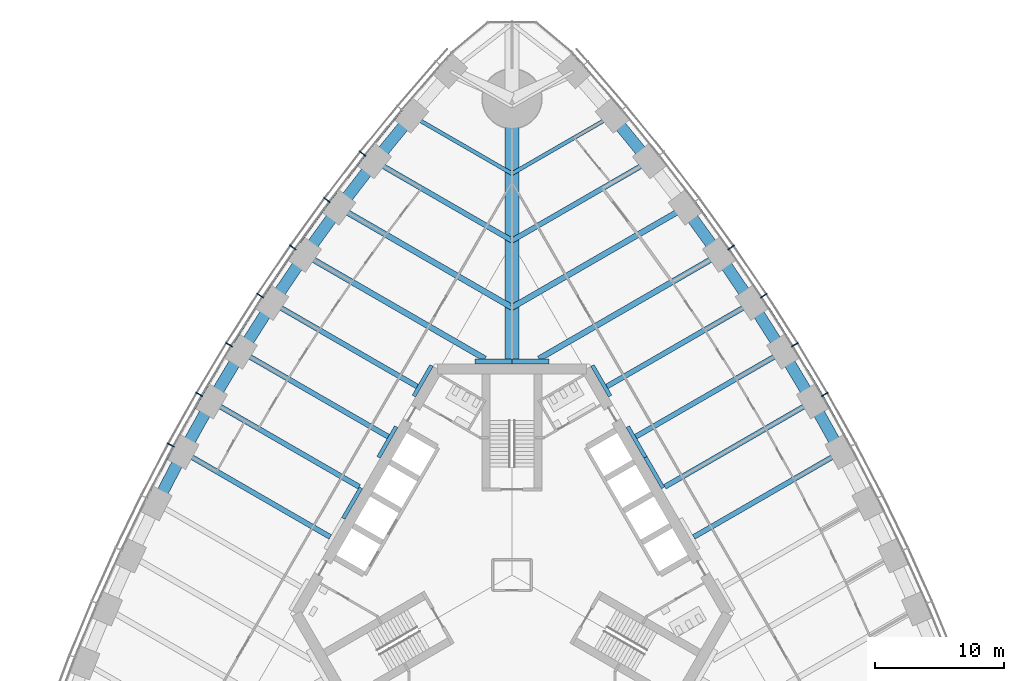
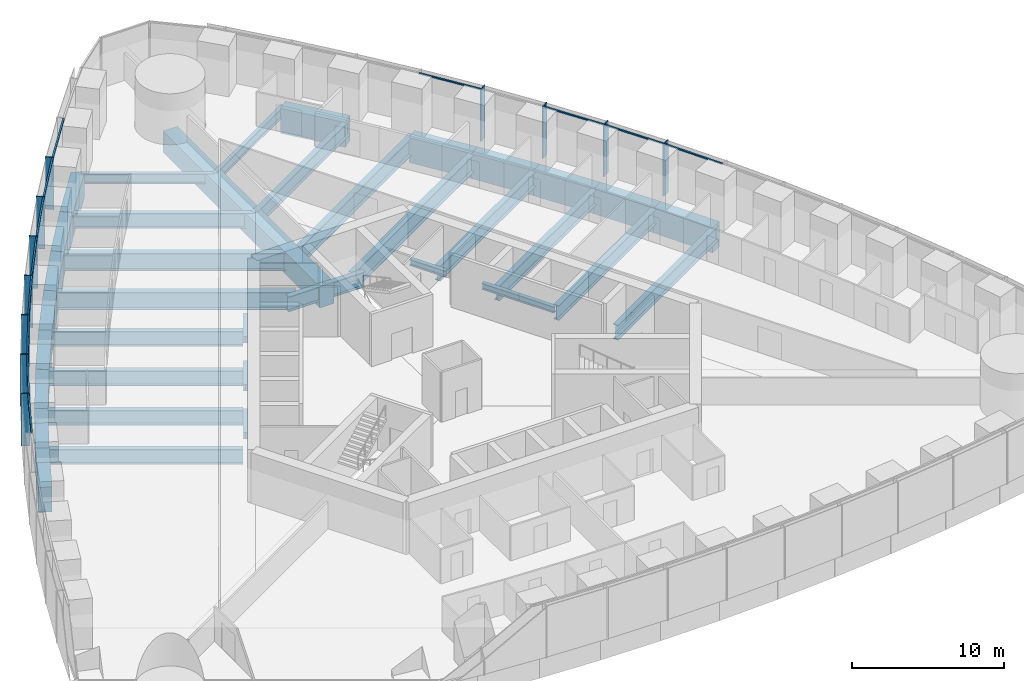
# One storey, part 4 of 18: 39 beams, 23 members, 2 elements without a shape of their own.
"""IFC4 building model written with IfcOpenShell, lengths in metres."""

from ifc_helpers import new_model, si_unit, direction, frame, origin, origin_2d, place, context, subcontext, project, spatial, rectangle, i_section, extrude, material, material_profile, profile_set, type_object, element, aggregate, save


model = new_model("IFC4")

# Units and contexts
model_context = context("Model", 3, precision=1e-05, world=origin(), true_north=direction((0.0, 1.0)))
body_context = subcontext(model_context, "Body", "Model", "MODEL_VIEW")
ifc_project = project(units=[si_unit("LENGTHUNIT", "METRE"), si_unit("AREAUNIT", "SQUARE_METRE"), si_unit("VOLUMEUNIT", "CUBIC_METRE"), si_unit("PLANEANGLEUNIT", "RADIAN"), si_unit("MASSUNIT", "GRAM", prefix="KILO")], contexts=[model_context])

# Site, building, storey
site_placement = place(None, origin())
site = spatial("IfcSite", under=ifc_project, at=site_placement, CompositionType="ELEMENT")
building_placement = place(site_placement, origin())
building = spatial("IfcBuilding", under=site, at=building_placement, Name="Trefoil Bronze Tower", CompositionType="ELEMENT")
storey_placement = place(building_placement, frame((0.0, 0.0, 75.300048828125)))
storey = spatial("IfcBuildingStorey", under=building, at=storey_placement, Name="L17", CompositionType="ELEMENT", Elevation=75.300048828125)

# Curtain wall, members
ifc_material_1 = material(Name="Tinted solar-control glass", Category="glass")
curtain_wall_type = type_object("IfcCurtainWallType", Name="Bronze office curtain wall", PredefinedType="USERDEFINED", material=ifc_material_1)
curtain_wall_1_placement = place(storey_placement, origin())
curtain_wall_1 = element("IfcCurtainWall", 1, at=curtain_wall_1_placement, inside=storey, type_object=curtain_wall_type, Name="CW-A L17 F2", ObjectType="CURTAIN WALL", PredefinedType="USERDEFINED")
ifc_material_2 = material(Name="Bronze-finish aluminium", Category="aluminium")
ifc_material_profile_1 = material_profile(ifc_material_2, rectangle(XDim=0.60009765625, YDim=0.080078125, at=origin_2d()), Name="CW-A mullion")
ifc_profile_set_1 = profile_set([ifc_material_profile_1], Name="Bronze-finish aluminium")
member_type_1 = type_object("IfcMemberType", Name="Bronze office curtain wall mullion", PredefinedType="MULLION", material=ifc_profile_set_1)
member_1_placement = place(storey_placement, frame((24.291015625, 14.0244140625, 0.0), z_axis=(0.0, 0.0, 1.0), x_axis=(-0.866025403784, -0.5, 0.0)))
member_1 = element("IfcMember", 2, at=member_1_placement, type_object=member_type_1, Name="CW-A L17 F2 mullion 9", PredefinedType="MULLION", context=body_context, shape_type="SweptSolid", body=[
    extrude(rectangle(XDim=0.60009765625, YDim=0.080078125, at=origin_2d()), origin(), (0.0, 0.0, 1.0), 4.179931640625),
])
member_2_placement = place(storey_placement, frame((21.97998046875, 17.896240234375, 0.0), z_axis=(0.0, 0.0, 1.0), x_axis=(-0.851149783004, -0.524922896141, 0.0)))
member_2 = element("IfcMember", 3, at=member_2_placement, type_object=member_type_1, Name="CW-A L17 F2 mullion 10", PredefinedType="MULLION", context=body_context, shape_type="SweptSolid", body=[
    extrude(rectangle(XDim=0.60009765625, YDim=0.080078125, at=origin_2d()), origin(), (0.0, 0.0, 1.0), 4.179931640625),
])
member_3_placement = place(storey_placement, frame((19.555419921875, 21.70263671875, 0.0), z_axis=(0.0, 0.0, 1.0), x_axis=(-0.835543651684, -0.549424067665, 0.0)))
member_3 = element("IfcMember", 4, at=member_3_placement, type_object=member_type_1, Name="CW-A L17 F2 mullion 11", PredefinedType="MULLION", context=body_context, shape_type="SweptSolid", body=[
    extrude(rectangle(XDim=0.60009765625, YDim=0.080078125, at=origin_2d()), origin(), (0.0, 0.0, 1.0), 4.179931640625),
])
member_4_placement = place(storey_placement, frame((17.01708984375, 25.443359375, 0.0), z_axis=(0.0, 0.0, 1.0), x_axis=(-0.819204207116, -0.573501932903, 0.0)))
member_4 = element("IfcMember", 5, at=member_4_placement, type_object=member_type_1, Name="CW-A L17 F2 mullion 12", PredefinedType="MULLION", context=body_context, shape_type="SweptSolid", body=[
    extrude(rectangle(XDim=0.60009765625, YDim=0.080078125, at=origin_2d()), origin(), (0.0, 0.0, 1.0), 4.179931640625),
])

curtain_wall_2_placement = place(storey_placement, origin())
curtain_wall_2 = element("IfcCurtainWall", 6, at=curtain_wall_2_placement, inside=storey, type_object=curtain_wall_type, Name="CW-A L17 F3", ObjectType="CURTAIN WALL", PredefinedType="USERDEFINED")
member_5_placement = place(storey_placement, frame((-11.595458984375, 32.7255859375, 0.0), z_axis=(0.0, 0.0, 1.0), x_axis=(0.784304615744, -0.620375910011, 0.0)))
member_5 = element("IfcMember", 7, at=member_5_placement, type_object=member_type_1, Name="CW-A L17 F3 mullion 4", PredefinedType="MULLION", context=body_context, shape_type="SweptSolid", body=[
    extrude(rectangle(XDim=0.60009765625, YDim=0.080078125, at=origin_2d()), origin(), (0.0, 0.0, 1.0), 4.179931640625),
])
member_6_placement = place(storey_placement, frame((-14.364013671875, 29.117919921875, 0.0), z_axis=(0.0, 0.0, 1.0), x_axis=(0.802126748469, -0.59715381552, 0.0)))
member_6 = element("IfcMember", 8, at=member_6_placement, type_object=member_type_1, Name="CW-A L17 F3 mullion 5", PredefinedType="MULLION", context=body_context, shape_type="SweptSolid", body=[
    extrude(rectangle(XDim=0.60009765625, YDim=0.080078125, at=origin_2d()), origin(), (0.0, 0.0, 1.0), 4.179931640625),
])
member_7_placement = place(storey_placement, frame((-17.01708984375, 25.443359375, 0.0), z_axis=(0.0, 0.0, 1.0), x_axis=(0.819204207116, -0.573501932903, 0.0)))
member_7 = element("IfcMember", 9, at=member_7_placement, type_object=member_type_1, Name="CW-A L17 F3 mullion 6", PredefinedType="MULLION", context=body_context, shape_type="SweptSolid", body=[
    extrude(rectangle(XDim=0.60009765625, YDim=0.080078125, at=origin_2d()), origin(), (0.0, 0.0, 1.0), 4.179931640625),
])
member_8_placement = place(storey_placement, frame((-19.555419921875, 21.70263671875, 0.0), z_axis=(0.0, 0.0, 1.0), x_axis=(0.835543651684, -0.549424067665, 0.0)))
member_8 = element("IfcMember", 10, at=member_8_placement, type_object=member_type_1, Name="CW-A L17 F3 mullion 7", PredefinedType="MULLION", context=body_context, shape_type="SweptSolid", body=[
    extrude(rectangle(XDim=0.60009765625, YDim=0.080078125, at=origin_2d()), origin(), (0.0, 0.0, 1.0), 4.179931640625),
])
member_9_placement = place(storey_placement, frame((-21.97998046875, 17.896240234375, 0.0), z_axis=(0.0, 0.0, 1.0), x_axis=(0.851149783004, -0.524922896141, 0.0)))
member_9 = element("IfcMember", 11, at=member_9_placement, type_object=member_type_1, Name="CW-A L17 F3 mullion 8", PredefinedType="MULLION", context=body_context, shape_type="SweptSolid", body=[
    extrude(rectangle(XDim=0.60009765625, YDim=0.080078125, at=origin_2d()), origin(), (0.0, 0.0, 1.0), 4.179931640625),
])
member_10_placement = place(storey_placement, frame((-24.291015625, 14.0244140625, 0.0), z_axis=(0.0, 0.0, 1.0), x_axis=(0.866025403784, -0.5, 0.0)))
member_10 = element("IfcMember", 12, at=member_10_placement, type_object=member_type_1, Name="CW-A L17 F3 mullion 9", PredefinedType="MULLION", context=body_context, shape_type="SweptSolid", body=[
    extrude(rectangle(XDim=0.60009765625, YDim=0.080078125, at=origin_2d()), origin(), (0.0, 0.0, 1.0), 4.179931640625),
])
member_11_placement = place(storey_placement, frame((-26.488525390625, 10.0869140625, 0.0), z_axis=(0.0, 0.0, 1.0), x_axis=(0.880171454588, -0.474655886437, 0.0)))
member_11 = element("IfcMember", 13, at=member_11_placement, type_object=member_type_1, Name="CW-A L17 F3 mullion 10", PredefinedType="MULLION", context=body_context, shape_type="SweptSolid", body=[
    extrude(rectangle(XDim=0.60009765625, YDim=0.080078125, at=origin_2d()), origin(), (0.0, 0.0, 1.0), 4.179931640625),
])

# Member
ifc_material_3 = material(Name="Bronze-finish aluminium", Category="aluminium")
ifc_material_profile_2 = material_profile(ifc_material_3, rectangle(XDim=0.1201171875, YDim=0.10009765625, at=origin_2d()), Name="CW-A transom")
ifc_profile_set_2 = profile_set([ifc_material_profile_2], Name="Bronze-finish aluminium")
member_type_2 = type_object("IfcMemberType", Name="Bronze office curtain wall transom", PredefinedType="USERDEFINED", material=ifc_profile_set_2)
member_12_placement = place(storey_placement, frame((26.29248046875, 10.0283203125, 4.1298828125), z_axis=(-0.487400435348, 0.873178570295, 0.0), x_axis=(-0.873178570295, -0.487400435348, 0.0)))
member_12 = element("IfcMember", 14, at=member_12_placement, type_object=member_type_2, Name="CW-A L17 F2 transom 8", ObjectType="TRANSOM", PredefinedType="USERDEFINED", context=body_context, shape_type="SweptSolid", body=[
    extrude(rectangle(XDim=0.1201171875, YDim=0.10009765625, at=origin_2d()), origin(), (0.0, 0.0, 1.0), 4.42041015625),
])

member_13_placement = place(storey_placement, frame((24.096435546875, 13.9599609375, 4.1298828125), z_axis=(-0.512536988879, 0.858665147209, 0.0), x_axis=(-0.858665147209, -0.512536988879, 0.0)))
member_13 = element("IfcMember", 15, at=member_13_placement, type_object=member_type_2, Name="CW-A L17 F2 transom 9", ObjectType="TRANSOM", PredefinedType="USERDEFINED", context=body_context, shape_type="SweptSolid", body=[
    extrude(rectangle(XDim=0.1201171875, YDim=0.10009765625, at=origin_2d()), origin(), (0.0, 0.0, 1.0), 4.42041015625),
])

member_14_placement = place(storey_placement, frame((21.787353515625, 17.826171875, 4.1298828125), z_axis=(-0.537196807268, 0.843456928515, 0.0), x_axis=(-0.843456928515, -0.537196807268, 0.0)))
member_14 = element("IfcMember", 16, at=member_14_placement, type_object=member_type_2, Name="CW-A L17 F2 transom 10", ObjectType="TRANSOM", PredefinedType="USERDEFINED", context=body_context, shape_type="SweptSolid", body=[
    extrude(rectangle(XDim=0.1201171875, YDim=0.10009765625, at=origin_2d()), origin(), (0.0, 0.0, 1.0), 4.42431640625),
])

member_15_placement = place(storey_placement, frame((16.828857421875, 25.3623046875, 4.1298828125), z_axis=(-0.585378207433, 0.81076035563, 0.0), x_axis=(-0.81076035563, -0.585378207433, 0.0)))
member_15 = element("IfcMember", 17, at=member_15_placement, type_object=member_type_2, Name="CW-A L17 F2 transom 12", ObjectType="TRANSOM", PredefinedType="USERDEFINED", context=body_context, shape_type="SweptSolid", body=[
    extrude(rectangle(XDim=0.1201171875, YDim=0.10009765625, at=origin_2d()), origin(), (0.0, 0.0, 1.0), 4.443359375),
])

aggregate(curtain_wall_1, [member_1, member_2, member_3, member_4, member_12, member_13, member_14, member_15])

member_16_placement = place(storey_placement, frame((-8.582763671875, 36.10498046875, 4.1298828125), z_axis=(-0.631835540201, -0.775102477185, 0.0), x_axis=(0.775102477185, -0.631835540201, 0.0)))
member_16 = element("IfcMember", 18, at=member_16_placement, type_object=member_type_2, Name="CW-A L17 F3 transom 3", ObjectType="TRANSOM", PredefinedType="USERDEFINED", context=body_context, shape_type="SweptSolid", body=[
    extrude(rectangle(XDim=0.1201171875, YDim=0.10009765625, at=origin_2d()), origin(), (0.0, 0.0, 1.0), 4.478271484375),
])

member_17_placement = place(storey_placement, frame((-11.4638671875, 32.568603515625, 4.1298828125), z_axis=(-0.608829203216, -0.793301330713, 0.0), x_axis=(0.793301330713, -0.608829203216, 0.0)))
member_17 = element("IfcMember", 19, at=member_17_placement, type_object=member_type_2, Name="CW-A L17 F3 transom 4", ObjectType="TRANSOM", PredefinedType="USERDEFINED", context=body_context, shape_type="SweptSolid", body=[
    extrude(rectangle(XDim=0.1201171875, YDim=0.10009765625, at=origin_2d()), origin(), (0.0, 0.0, 1.0), 4.458740234375),
])

member_18_placement = place(storey_placement, frame((-14.227783203125, 28.96484375, 4.1298828125), z_axis=(-0.585378207433, -0.81076035563, 0.0), x_axis=(0.81076035563, -0.585378207433, 0.0)))
member_18 = element("IfcMember", 20, at=member_18_placement, type_object=member_type_2, Name="CW-A L17 F3 transom 5", ObjectType="TRANSOM", PredefinedType="USERDEFINED", context=body_context, shape_type="SweptSolid", body=[
    extrude(rectangle(XDim=0.1201171875, YDim=0.10009765625, at=origin_2d()), origin(), (0.0, 0.0, 1.0), 4.443359375),
])

member_19_placement = place(storey_placement, frame((-16.87646484375, 25.29443359375, 4.1298828125), z_axis=(-0.561508153923, -0.827471203775, 0.0), x_axis=(0.827471203775, -0.561508153923, 0.0)))
member_19 = element("IfcMember", 21, at=member_19_placement, type_object=member_type_2, Name="CW-A L17 F3 transom 6", ObjectType="TRANSOM", PredefinedType="USERDEFINED", context=body_context, shape_type="SweptSolid", body=[
    extrude(rectangle(XDim=0.1201171875, YDim=0.10009765625, at=origin_2d()), origin(), (0.0, 0.0, 1.0), 4.431884765625),
])

member_20_placement = place(storey_placement, frame((-19.41064453125, 21.557861328125, 4.1298828125), z_axis=(-0.537196807268, -0.843456928515, 0.0), x_axis=(0.843456928515, -0.537196807268, 0.0)))
member_20 = element("IfcMember", 22, at=member_20_placement, type_object=member_type_2, Name="CW-A L17 F3 transom 7", ObjectType="TRANSOM", PredefinedType="USERDEFINED", context=body_context, shape_type="SweptSolid", body=[
    extrude(rectangle(XDim=0.1201171875, YDim=0.10009765625, at=origin_2d()), origin(), (0.0, 0.0, 1.0), 4.42431640625),
])

member_21_placement = place(storey_placement, frame((-21.830810546875, 17.755615234375, 4.1298828125), z_axis=(-0.512536988879, -0.858665147209, 0.0), x_axis=(0.858665147209, -0.512536988879, 0.0)))
member_21 = element("IfcMember", 23, at=member_21_placement, type_object=member_type_2, Name="CW-A L17 F3 transom 8", ObjectType="TRANSOM", PredefinedType="USERDEFINED", context=body_context, shape_type="SweptSolid", body=[
    extrude(rectangle(XDim=0.1201171875, YDim=0.10009765625, at=origin_2d()), origin(), (0.0, 0.0, 1.0), 4.42041015625),
])

member_22_placement = place(storey_placement, frame((-24.137939453125, 13.88818359375, 4.1298828125), z_axis=(-0.487400435348, -0.873178570295, 0.0), x_axis=(0.873178570295, -0.487400435348, 0.0)))
member_22 = element("IfcMember", 24, at=member_22_placement, type_object=member_type_2, Name="CW-A L17 F3 transom 9", ObjectType="TRANSOM", PredefinedType="USERDEFINED", context=body_context, shape_type="SweptSolid", body=[
    extrude(rectangle(XDim=0.1201171875, YDim=0.10009765625, at=origin_2d()), origin(), (0.0, 0.0, 1.0), 4.42041015625),
])

member_23_placement = place(storey_placement, frame((-26.331787109375, 9.955322265625, 4.1298828125), z_axis=(-0.461809621225, -0.886979071762, 0.0), x_axis=(0.886979071762, -0.461809621225, 0.0)))
member_23 = element("IfcMember", 25, at=member_23_placement, type_object=member_type_2, Name="CW-A L17 F3 transom 10", ObjectType="TRANSOM", PredefinedType="USERDEFINED", context=body_context, shape_type="SweptSolid", body=[
    extrude(rectangle(XDim=0.1201171875, YDim=0.10009765625, at=origin_2d()), origin(), (0.0, 0.0, 1.0), 4.42431640625),
])

aggregate(curtain_wall_2, [member_5, member_6, member_7, member_8, member_9, member_10, member_11, member_16, member_17, member_18, member_19, member_20, member_21, member_22, member_23])

# Beams
ifc_material_4 = material(Name="Steel C355", Category="steel")
ifc_material_profile_3 = material_profile(ifc_material_4, i_section(OverallWidth=0.300048828125, OverallDepth=0.5, WebThickness=0.014404296875, FlangeThickness=0.028076171875, FilletRadius=0.027099609375, at=origin_2d()), Name="HEB 500")
ifc_profile_set_3 = profile_set([ifc_material_profile_3], Name="Steel C355")
beam_type_1 = type_object("IfcBeamType", Name="Core seat beam HEB 500", PredefinedType="BEAM", material=ifc_profile_set_3)
for number, where, z_axis, x_axis, name in (
    (26, (11.734619140625, 6.77490234375, -0.449951171875), (-0.499969057507, 0.866043267704, 0.0), (-0.866043267704, -0.499969057507, 0.0), "Core seat beam F2/+0 L17"),
    (27, (10.363525390625, 9.14990234375, -0.449951171875), (-0.500035825175, 0.866004719122, 0.0), (-0.866004719122, -0.500035825175, 0.0), "Core seat beam F2/+1 L17"),
    (28, (7.62109375, 13.89990234375, -0.449951171875), (-0.500035825175, 0.866004719122, 0.0), (-0.866004719122, -0.500035825175, 0.0), "Core seat beam F2/+2 L17"),
    (29, (-6.249755859375, 16.27490234375, -0.449951171875), (-0.500035825175, -0.866004719122, 0.0), (0.866004719122, -0.500035825175, 0.0), "Core seat beam F3/-2 L17"),
    (30, (-8.9921875, 11.52490234375, -0.449951171875), (-0.500035825175, -0.866004719122, 0.0), (0.866004719122, -0.500035825175, 0.0), "Core seat beam F3/-1 L17"),
    (31, (-11.734619140625, 6.77490234375, -0.449951171875), (-0.500035825175, -0.866004719122, 0.0), (0.866004719122, -0.500035825175, 0.0), "Core seat beam F3/+0 L17"),
):
    element("IfcBeam", number, at=place(storey_placement, frame(where, z_axis=z_axis, x_axis=x_axis)), inside=storey, type_object=beam_type_1, Name=name, PredefinedType="BEAM", context=body_context, shape_type="SweptSolid", body=[
        extrude(i_section(OverallWidth=0.300048828125, OverallDepth=0.5, WebThickness=0.014404296875, FlangeThickness=0.028076171875, FilletRadius=0.027099609375, at=origin_2d()), origin(), (0.0, 0.0, 1.0), 2.742431640625),
    ])
ifc_material_5 = material(Name="Steel C355", Category="steel")
ifc_material_profile_4 = material_profile(ifc_material_5, i_section(OverallWidth=0.39990234375, OverallDepth=1.199951171875, WebThickness=0.02001953125, FlangeThickness=0.0400390625, FilletRadius=0.010009765625, at=origin_2d()), Name="WPG 1200")
ifc_profile_set_4 = profile_set([ifc_material_profile_4], Name="Steel C355")
beam_type_2 = type_object("IfcBeamType", Name="Core seat beam WPG 1200", PredefinedType="BEAM", material=ifc_profile_set_4)
for number, where, z_axis, x_axis, name in (
    (32, (2.88671875, 16.60009765625, -0.800048828125), (-1.0, 0.0, 0.0), (0.0, -1.0, 0.0), "Core seat beam F2/+3 L17"),
    (33, (0.0, 16.60009765625, -0.800048828125), (-1.0, 0.0, 0.0), (0.0, -1.0, 0.0), "Core seat beam F3/-3 L17"),
):
    element("IfcBeam", number, at=place(storey_placement, frame(where, z_axis=z_axis, x_axis=x_axis)), inside=storey, type_object=beam_type_2, Name=name, PredefinedType="BEAM", context=body_context, shape_type="SweptSolid", body=[
        extrude(i_section(OverallWidth=0.39990234375, OverallDepth=1.199951171875, WebThickness=0.02001953125, FlangeThickness=0.0400390625, FilletRadius=0.010009765625, at=origin_2d()), origin(), (0.0, 0.0, 1.0), 2.88671875),
    ])
ifc_material_6 = material(Name="Concrete B80", Category="concrete")
ifc_material_profile_5 = material_profile(ifc_material_6, rectangle(XDim=1.10009765625, YDim=1.699951171875, at=origin_2d()), Name="RC 1100x1700")
ifc_profile_set_5 = profile_set([ifc_material_profile_5], Name="Concrete B80")
beam_type_3 = type_object("IfcBeamType", Name="Corner girder RC 1100x1700", PredefinedType="BEAM", material=ifc_profile_set_5)
beam_1_placement = place(storey_placement, frame((0.0, 16.39990234375, -1.050048828125), z_axis=(0.0, 1.0, 0.0), x_axis=(-1.0, 0.0, 0.0)))
element("IfcBeam", 34, at=beam_1_placement, inside=storey, type_object=beam_type_3, Name="Corner girder K2 L17", PredefinedType="BEAM", context=body_context, shape_type="SweptSolid", body=[
    extrude(rectangle(XDim=1.10009765625, YDim=1.699951171875, at=origin_2d()), origin(), (0.0, 0.0, 1.0), 20.60009765625),
])
ifc_material_7 = material(Name="Steel C355", Category="steel")
ifc_material_profile_6 = material_profile(ifc_material_7, i_section(OverallWidth=0.300048828125, OverallDepth=0.800048828125, WebThickness=0.017578125, FlangeThickness=0.032958984375, FilletRadius=0.030029296875, at=origin_2d()), Name="HEB 800")
ifc_profile_set_6 = profile_set([ifc_material_profile_6], Name="Steel C355")
beam_type_4 = type_object("IfcBeamType", Name="Floor beam HEB 800", PredefinedType="BEAM", material=ifc_profile_set_6)
for number, where, z_axis, x_axis, name in (
    (35, (7.7763671875, 35.666748046875, -0.60009765625), (-0.866022587327, -0.500004878216, 0.0), (0.500004878216, -0.866022587327, 0.0), "Floor beam F2/+6 L17"),
    (36, (-7.7763671875, 35.666748046875, -0.60009765625), (0.866022587327, -0.500004878216, 0.0), (0.500004878216, 0.866022587327, 0.0), "Floor beam F3/-6 L17"),
):
    element("IfcBeam", number, at=place(storey_placement, frame(where, z_axis=z_axis, x_axis=x_axis)), inside=storey, type_object=beam_type_4, Name=name, PredefinedType="BEAM", context=body_context, shape_type="SweptSolid", body=[
        extrude(i_section(OverallWidth=0.300048828125, OverallDepth=0.800048828125, WebThickness=0.017578125, FlangeThickness=0.032958984375, FilletRadius=0.030029296875, at=origin_2d()), origin(), (0.0, 0.0, 1.0), 8.9794921875),
    ])
ifc_material_8 = material(Name="Steel C355", Category="steel")
ifc_material_profile_7 = material_profile(ifc_material_8, i_section(OverallWidth=0.39990234375, OverallDepth=1.199951171875, WebThickness=0.02001953125, FlangeThickness=0.0400390625, FilletRadius=0.010009765625, at=origin_2d()), Name="WPG 1200")
ifc_profile_set_7 = profile_set([ifc_material_profile_7], Name="Steel C355")
beam_type_5 = type_object("IfcBeamType", Name="Floor beam WPG 1200", PredefinedType="BEAM", material=ifc_profile_set_7)
beam_2_placement = place(storey_placement, frame((25.531494140625, 9.54443359375, -0.800048828125), z_axis=(-0.866027071639, -0.499997111179, 0.0), x_axis=(0.499997111179, -0.866027071639, 0.0)))
element("IfcBeam", 37, at=beam_2_placement, inside=storey, type_object=beam_type_5, Name="Floor beam F2/-1 L17", PredefinedType="BEAM", context=body_context, shape_type="SweptSolid", body=[
    extrude(i_section(OverallWidth=0.39990234375, OverallDepth=1.199951171875, WebThickness=0.02001953125, FlangeThickness=0.0400390625, FilletRadius=0.010009765625, at=origin_2d()), origin(), (0.0, 0.0, 1.0), 13.18310546875),
])
beam_3_placement = place(storey_placement, frame((23.33837890625, 13.474365234375, -0.800048828125), z_axis=(-0.866031233401, -0.499989902672, 0.0), x_axis=(0.499989902672, -0.866031233401, 0.0)))
element("IfcBeam", 38, at=beam_3_placement, inside=storey, type_object=beam_type_5, Name="Floor beam F2/+0 L17", PredefinedType="BEAM", context=body_context, shape_type="SweptSolid", body=[
    extrude(i_section(OverallWidth=0.39990234375, OverallDepth=1.199951171875, WebThickness=0.02001953125, FlangeThickness=0.0400390625, FilletRadius=0.010009765625, at=origin_2d()), origin(), (0.0, 0.0, 1.0), 13.248779296875),
])
beam_4_placement = place(storey_placement, frame((21.031494140625, 17.338623046875, -0.800048828125), z_axis=(-0.866027071639, -0.499997111179, 0.0), x_axis=(0.499997111179, -0.866027071639, 0.0)))
element("IfcBeam", 39, at=beam_4_placement, inside=storey, type_object=beam_type_5, Name="Floor beam F2/+1 L17", PredefinedType="BEAM", context=body_context, shape_type="SweptSolid", body=[
    extrude(i_section(OverallWidth=0.39990234375, OverallDepth=1.199951171875, WebThickness=0.02001953125, FlangeThickness=0.0400390625, FilletRadius=0.010009765625, at=origin_2d()), origin(), (0.0, 0.0, 1.0), 13.18310546875),
])
beam_5_placement = place(storey_placement, frame((18.61083984375, 21.13720703125, -0.800048828125), z_axis=(-0.866030615021, -0.499990973765, 0.0), x_axis=(0.499990973765, -0.866030615021, 0.0)))
element("IfcBeam", 40, at=beam_5_placement, inside=storey, type_object=beam_type_5, Name="Floor beam F2/+2 L17", PredefinedType="BEAM", context=body_context, shape_type="SweptSolid", body=[
    extrude(i_section(OverallWidth=0.39990234375, OverallDepth=1.199951171875, WebThickness=0.02001953125, FlangeThickness=0.0400390625, FilletRadius=0.010009765625, at=origin_2d()), origin(), (0.0, 0.0, 1.0), 12.986083984375),
])
for number, where, z_axis, x_axis, name in (
    (41, (10.659912109375, 32.13525390625, -0.800048828125), (-0.866024070878, -0.500002308654, 0.0), (0.500002308654, -0.866024070878, 0.0), "Floor beam F2/+5 L17"),
    (42, (-10.659912109375, 32.13525390625, -0.800048828125), (0.866024070878, -0.500002308654, 0.0), (0.500002308654, 0.866024070878, 0.0), "Floor beam F3/-5 L17"),
):
    element("IfcBeam", number, at=place(storey_placement, frame(where, z_axis=z_axis, x_axis=x_axis)), inside=storey, type_object=beam_type_5, Name=name, PredefinedType="BEAM", context=body_context, shape_type="SweptSolid", body=[
        extrude(i_section(OverallWidth=0.39990234375, OverallDepth=1.199951171875, WebThickness=0.02001953125, FlangeThickness=0.0400390625, FilletRadius=0.010009765625, at=origin_2d()), origin(), (0.0, 0.0, 1.0), 12.30908203125),
    ])
beam_6_placement = place(storey_placement, frame((-18.61083984375, 21.13720703125, -0.800048828125), z_axis=(0.866030615021, -0.499990973765, 0.0), x_axis=(0.499990973765, 0.866030615021, 0.0)))
element("IfcBeam", 43, at=beam_6_placement, inside=storey, type_object=beam_type_5, Name="Floor beam F3/-2 L17", PredefinedType="BEAM", context=body_context, shape_type="SweptSolid", body=[
    extrude(i_section(OverallWidth=0.39990234375, OverallDepth=1.199951171875, WebThickness=0.02001953125, FlangeThickness=0.0400390625, FilletRadius=0.010009765625, at=origin_2d()), origin(), (0.0, 0.0, 1.0), 12.986083984375),
])
beam_7_placement = place(storey_placement, frame((-21.031494140625, 17.338623046875, -0.800048828125), z_axis=(0.866027071639, -0.499997111179, 0.0), x_axis=(0.499997111179, 0.866027071639, 0.0)))
element("IfcBeam", 44, at=beam_7_placement, inside=storey, type_object=beam_type_5, Name="Floor beam F3/-1 L17", PredefinedType="BEAM", context=body_context, shape_type="SweptSolid", body=[
    extrude(i_section(OverallWidth=0.39990234375, OverallDepth=1.199951171875, WebThickness=0.02001953125, FlangeThickness=0.0400390625, FilletRadius=0.010009765625, at=origin_2d()), origin(), (0.0, 0.0, 1.0), 13.18310546875),
])
beam_8_placement = place(storey_placement, frame((-23.33837890625, 13.474365234375, -0.800048828125), z_axis=(0.866031233401, -0.499989902672, 0.0), x_axis=(0.499989902672, 0.866031233401, 0.0)))
element("IfcBeam", 45, at=beam_8_placement, inside=storey, type_object=beam_type_5, Name="Floor beam F3/+0 L17", PredefinedType="BEAM", context=body_context, shape_type="SweptSolid", body=[
    extrude(i_section(OverallWidth=0.39990234375, OverallDepth=1.199951171875, WebThickness=0.02001953125, FlangeThickness=0.0400390625, FilletRadius=0.010009765625, at=origin_2d()), origin(), (0.0, 0.0, 1.0), 13.248779296875),
])
beam_9_placement = place(storey_placement, frame((-25.531494140625, 9.54443359375, -0.800048828125), z_axis=(0.866027071639, -0.499997111179, 0.0), x_axis=(0.499997111179, 0.866027071639, 0.0)))
element("IfcBeam", 46, at=beam_9_placement, inside=storey, type_object=beam_type_5, Name="Floor beam F3/+1 L17", PredefinedType="BEAM", context=body_context, shape_type="SweptSolid", body=[
    extrude(i_section(OverallWidth=0.39990234375, OverallDepth=1.199951171875, WebThickness=0.02001953125, FlangeThickness=0.0400390625, FilletRadius=0.010009765625, at=origin_2d()), origin(), (0.0, 0.0, 1.0), 13.18310546875),
])
ifc_material_9 = material(Name="Steel C355", Category="steel")
ifc_material_profile_8 = material_profile(ifc_material_9, i_section(OverallWidth=0.449951171875, OverallDepth=1.39990234375, WebThickness=0.02294921875, FlangeThickness=0.044921875, FilletRadius=0.011962890625, at=origin_2d()), Name="WPG 1400")
ifc_profile_set_8 = profile_set([ifc_material_profile_8], Name="Steel C355")
beam_type_6 = type_object("IfcBeamType", Name="Floor beam WPG 1400", PredefinedType="BEAM", material=ifc_profile_set_8)
beam_10_placement = place(storey_placement, frame((16.075927734375, 24.869873046875, -0.900146484375), z_axis=(-0.866028401131, -0.499994808408, 0.0), x_axis=(0.499994808408, -0.866028401131, 0.0)))
element("IfcBeam", 47, at=beam_10_placement, inside=storey, type_object=beam_type_6, Name="Floor beam F2/+3 L17", PredefinedType="BEAM", context=body_context, shape_type="SweptSolid", body=[
    extrude(i_section(OverallWidth=0.449951171875, OverallDepth=1.39990234375, WebThickness=0.02294921875, FlangeThickness=0.044921875, FilletRadius=0.011962890625, at=origin_2d()), origin(), (0.0, 0.0, 1.0), 16.139892578125),
])
for number, where, z_axis, x_axis, name in (
    (48, (13.42578125, 28.5361328125, -0.900146484375), (-0.866022989816, -0.500004181093, 0.0), (0.500004181093, -0.866022989816, 0.0), "Floor beam F2/+4 L17"),
    (49, (-13.42578125, 28.5361328125, -0.900146484375), (0.866022989816, -0.500004181093, 0.0), (0.500004181093, 0.866022989816, 0.0), "Floor beam F3/-4 L17"),
):
    element("IfcBeam", number, at=place(storey_placement, frame(where, z_axis=z_axis, x_axis=x_axis)), inside=storey, type_object=beam_type_6, Name=name, PredefinedType="BEAM", context=body_context, shape_type="SweptSolid", body=[
        extrude(i_section(OverallWidth=0.449951171875, OverallDepth=1.39990234375, WebThickness=0.02294921875, FlangeThickness=0.044921875, FilletRadius=0.011962890625, at=origin_2d()), origin(), (0.0, 0.0, 1.0), 15.502685546875),
    ])
beam_11_placement = place(storey_placement, frame((-16.075927734375, 24.869873046875, -0.900146484375), z_axis=(0.866028401131, -0.499994808408, 0.0), x_axis=(0.499994808408, 0.866028401131, 0.0)))
element("IfcBeam", 50, at=beam_11_placement, inside=storey, type_object=beam_type_6, Name="Floor beam F3/-3 L17", PredefinedType="BEAM", context=body_context, shape_type="SweptSolid", body=[
    extrude(i_section(OverallWidth=0.449951171875, OverallDepth=1.39990234375, WebThickness=0.02294921875, FlangeThickness=0.044921875, FilletRadius=0.011962890625, at=origin_2d()), origin(), (0.0, 0.0, 1.0), 16.139892578125),
])
ifc_material_10 = material(Name="Concrete B80", Category="concrete")
ifc_material_profile_9 = material_profile(ifc_material_10, rectangle(XDim=0.89990234375, YDim=2.0, at=origin_2d()), Name="RC 900x2000")
ifc_profile_set_9 = profile_set([ifc_material_profile_9], Name="Concrete B80")
beam_type_7 = type_object("IfcBeamType", Name="Spandrel beam RC 900x2000", PredefinedType="SPANDREL", material=ifc_profile_set_9)
for number, where, z_axis, x_axis, name in (
    (51, (25.531494140625, 9.54443359375, -1.199951171875), (-0.487309404804, 0.873229376504, 0.0), (-0.873229376504, -0.487309404804, 0.0), "Spandrel F2.8 L17"),
    (52, (23.33837890625, 13.474365234375, -1.199951171875), (-0.512587831591, 0.858634797166, 0.0), (-0.858634797166, -0.512587831591, 0.0), "Spandrel F2.9 L17"),
):
    element("IfcBeam", number, at=place(storey_placement, frame(where, z_axis=z_axis, x_axis=x_axis)), inside=storey, type_object=beam_type_7, Name=name, PredefinedType="SPANDREL", context=body_context, shape_type="SweptSolid", body=[
        extrude(rectangle(XDim=0.89990234375, YDim=2.0, at=origin_2d()), origin(), (0.0, 0.0, 1.0), 4.50048828125),
    ])
beam_12_placement = place(storey_placement, frame((21.031494140625, 17.338623046875, -1.199951171875), z_axis=(-0.537408473305, 0.843322081307, 0.0), x_axis=(-0.843322081307, -0.537408473305, 0.0)))
element("IfcBeam", 53, at=beam_12_placement, inside=storey, type_object=beam_type_7, Name="Spandrel F2.10 L17", PredefinedType="SPANDREL", context=body_context, shape_type="SweptSolid", body=[
    extrude(rectangle(XDim=0.89990234375, YDim=2.0, at=origin_2d()), origin(), (0.0, 0.0, 1.0), 4.50439453125),
])
beam_13_placement = place(storey_placement, frame((18.61083984375, 21.13720703125, -1.199951171875), z_axis=(-0.561809680291, 0.827266512758, 0.0), x_axis=(-0.827266512758, -0.561809680291, 0.0)))
element("IfcBeam", 54, at=beam_13_placement, inside=storey, type_object=beam_type_7, Name="Spandrel F2.11 L17", PredefinedType="SPANDREL", context=body_context, shape_type="SweptSolid", body=[
    extrude(rectangle(XDim=0.89990234375, YDim=2.0, at=origin_2d()), origin(), (0.0, 0.0, 1.0), 4.511962890625),
])
beam_14_placement = place(storey_placement, frame((16.075927734375, 24.869873046875, -1.199951171875), z_axis=(-0.585823508301, 0.810438657223, 0.0), x_axis=(-0.810438657223, -0.585823508301, 0.0)))
element("IfcBeam", 55, at=beam_14_placement, inside=storey, type_object=beam_type_7, Name="Spandrel F2.12 L17", PredefinedType="SPANDREL", context=body_context, shape_type="SweptSolid", body=[
    extrude(rectangle(XDim=0.89990234375, YDim=2.0, at=origin_2d()), origin(), (0.0, 0.0, 1.0), 4.523681640625),
])
for number, where, z_axis, x_axis, name in (
    (56, (10.659912109375, 32.13525390625, -1.199951171875), (-0.632467643363, 0.774586780225, 0.0), (-0.774586780225, -0.632467643363, 0.0), "Spandrel F2.14 L17"),
    (57, (-7.7763671875, 35.666748046875, -1.199951171875), (-0.632467643363, -0.774586780225, 0.0), (0.774586780225, -0.632467643363, 0.0), "Spandrel F3.3 L17"),
):
    element("IfcBeam", number, at=place(storey_placement, frame(where, z_axis=z_axis, x_axis=x_axis)), inside=storey, type_object=beam_type_7, Name=name, PredefinedType="SPANDREL", context=body_context, shape_type="SweptSolid", body=[
        extrude(rectangle(XDim=0.89990234375, YDim=2.0, at=origin_2d()), origin(), (0.0, 0.0, 1.0), 4.55908203125),
    ])
beam_15_placement = place(storey_placement, frame((-10.659912109375, 32.13525390625, -1.199951171875), z_axis=(-0.609338992146, -0.792909826305, 0.0), x_axis=(0.792909826305, -0.609338992146, 0.0)))
element("IfcBeam", 58, at=beam_15_placement, inside=storey, type_object=beam_type_7, Name="Spandrel F3.4 L17", PredefinedType="SPANDREL", context=body_context, shape_type="SweptSolid", body=[
    extrude(rectangle(XDim=0.89990234375, YDim=2.0, at=origin_2d()), origin(), (0.0, 0.0, 1.0), 4.5390625),
])
beam_16_placement = place(storey_placement, frame((-13.42578125, 28.5361328125, -1.199951171875), z_axis=(-0.585823508301, -0.810438657223, 0.0), x_axis=(0.810438657223, -0.585823508301, 0.0)))
element("IfcBeam", 59, at=beam_16_placement, inside=storey, type_object=beam_type_7, Name="Spandrel F3.5 L17", PredefinedType="SPANDREL", context=body_context, shape_type="SweptSolid", body=[
    extrude(rectangle(XDim=0.89990234375, YDim=2.0, at=origin_2d()), origin(), (0.0, 0.0, 1.0), 4.523681640625),
])
beam_17_placement = place(storey_placement, frame((-16.075927734375, 24.869873046875, -1.199951171875), z_axis=(-0.561809680291, -0.827266512758, 0.0), x_axis=(0.827266512758, -0.561809680291, 0.0)))
element("IfcBeam", 60, at=beam_17_placement, inside=storey, type_object=beam_type_7, Name="Spandrel F3.6 L17", PredefinedType="SPANDREL", context=body_context, shape_type="SweptSolid", body=[
    extrude(rectangle(XDim=0.89990234375, YDim=2.0, at=origin_2d()), origin(), (0.0, 0.0, 1.0), 4.511962890625),
])
beam_18_placement = place(storey_placement, frame((-18.61083984375, 21.13720703125, -1.199951171875), z_axis=(-0.537408473305, -0.843322081307, 0.0), x_axis=(0.843322081307, -0.537408473305, 0.0)))
element("IfcBeam", 61, at=beam_18_placement, inside=storey, type_object=beam_type_7, Name="Spandrel F3.7 L17", PredefinedType="SPANDREL", context=body_context, shape_type="SweptSolid", body=[
    extrude(rectangle(XDim=0.89990234375, YDim=2.0, at=origin_2d()), origin(), (0.0, 0.0, 1.0), 4.50439453125),
])
for number, where, z_axis, x_axis, name in (
    (62, (-21.031494140625, 17.338623046875, -1.199951171875), (-0.512587831591, -0.858634797166, 0.0), (0.858634797166, -0.512587831591, 0.0), "Spandrel F3.8 L17"),
    (63, (-23.33837890625, 13.474365234375, -1.199951171875), (-0.487309404804, -0.873229376504, 0.0), (0.873229376504, -0.487309404804, 0.0), "Spandrel F3.9 L17"),
):
    element("IfcBeam", number, at=place(storey_placement, frame(where, z_axis=z_axis, x_axis=x_axis)), inside=storey, type_object=beam_type_7, Name=name, PredefinedType="SPANDREL", context=body_context, shape_type="SweptSolid", body=[
        extrude(rectangle(XDim=0.89990234375, YDim=2.0, at=origin_2d()), origin(), (0.0, 0.0, 1.0), 4.50048828125),
    ])
beam_19_placement = place(storey_placement, frame((-25.531494140625, 9.54443359375, -1.199951171875), z_axis=(-0.461637716615, -0.887068553495, 0.0), x_axis=(0.887068553495, -0.461637716615, 0.0)))
element("IfcBeam", 64, at=beam_19_placement, inside=storey, type_object=beam_type_7, Name="Spandrel F3.10 L17", PredefinedType="SPANDREL", context=body_context, shape_type="SweptSolid", body=[
    extrude(rectangle(XDim=0.89990234375, YDim=2.0, at=origin_2d()), origin(), (0.0, 0.0, 1.0), 4.50439453125),
])

save(model, "model.ifc")
